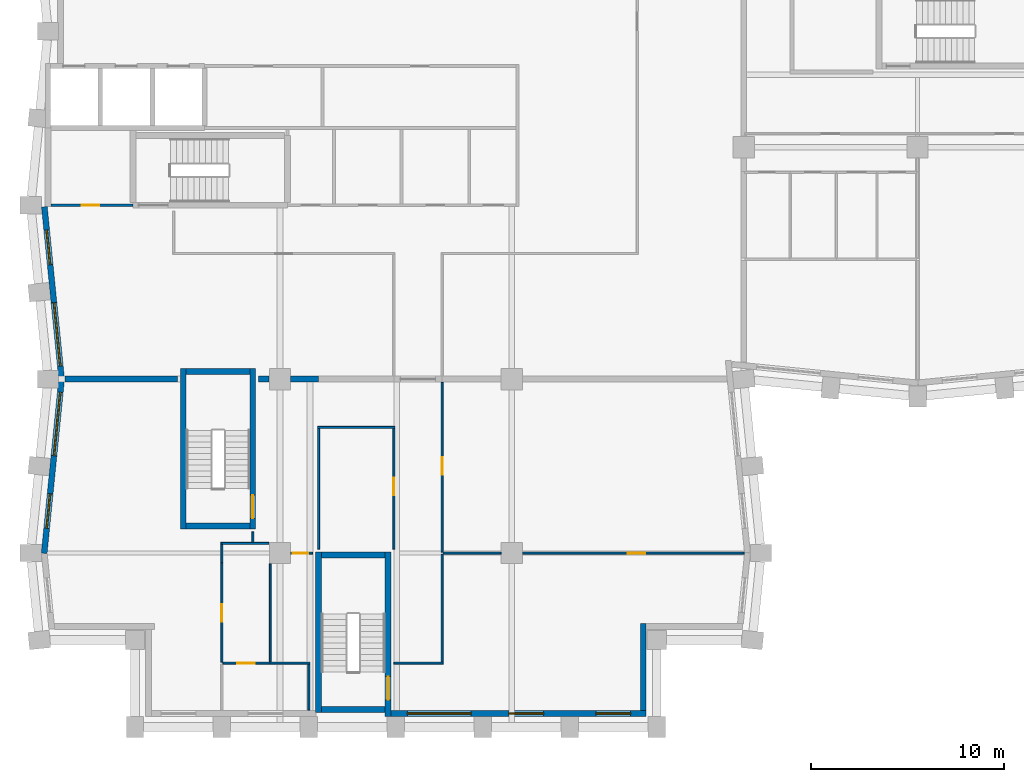
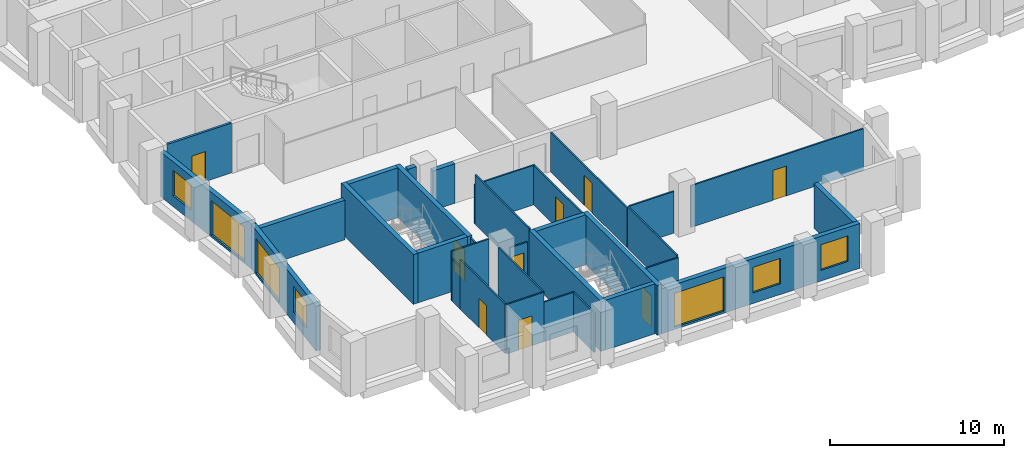
# One storey, part 3 of 10: 33 walls, 9 doors, 7 windows, 16 openings.
"""IFC4 building model written with IfcOpenShell, lengths in metres."""

from ifc_helpers import new_model, si_unit, direction, frame, frame_2d, origin, place, context, subcontext, project, spatial, rectangle, extrude, material, layer, layer_set, type_object, element, fill, save


model = new_model("IFC4")

# Units and contexts
model_context = context("Model", 3, precision=1e-05, world=origin(), true_north=direction((0.0, 1.0)))
body_context = subcontext(model_context, "Body", "Model", "MODEL_VIEW")
ifc_project = project(units=[si_unit("LENGTHUNIT", "METRE"), si_unit("AREAUNIT", "SQUARE_METRE"), si_unit("VOLUMEUNIT", "CUBIC_METRE"), si_unit("PLANEANGLEUNIT", "RADIAN"), si_unit("MASSUNIT", "GRAM", prefix="KILO")], contexts=[model_context])

# Site, building, storey
site_placement = place(None, origin())
site = spatial("IfcSite", under=ifc_project, at=site_placement, CompositionType="ELEMENT")
building_placement = place(site_placement, origin())
building = spatial("IfcBuilding", under=site, at=building_placement, Name="Brondeck Convention Tower", CompositionType="ELEMENT")
storey_placement = place(building_placement, frame((0.0, 0.0, 151.0)))
storey = spatial("IfcBuildingStorey", under=building, at=storey_placement, Name="L36", CompositionType="ELEMENT", Elevation=151.0)

# Walls
ifc_material_1 = material(Name="Concrete compartment wall C30/37", Category="concrete")
ifc_layer_1 = layer(ifc_material_1, 0.300048828125)
ifc_layer_set_1 = layer_set([ifc_layer_1], Name="Compartment wall 300")
wall_type_1 = type_object("IfcWallType", Name="Compartment wall 300", PredefinedType="PARTITIONING", material=ifc_layer_set_1)
wall_1_placement = place(storey_placement, frame((0.8740234375, 27.0, 0.0), z_axis=(0.0, 0.0, 1.0), x_axis=(1.0, 0.0, 0.0)))
element("IfcWall", 1, at=wall_1_placement, inside=storey, type_object=wall_type_1, Name="FLR-L36-W020", PredefinedType="PARTITIONING", context=body_context, shape_type="SweptSolid", body=[
    extrude(rectangle(XDim=5.825927734375, YDim=0.300048828125, at=frame_2d((2.9130859375, 0.0))), origin(), (0.0, 0.0, 1.0), 2.780029296875),
])
wall_2_placement = place(storey_placement, frame((10.89990234375, 27.0, 0.0), z_axis=(0.0, 0.0, 1.0), x_axis=(1.0, 0.0, 0.0)))
element("IfcWall", 2, at=wall_2_placement, inside=storey, type_object=wall_type_1, Name="FLR-L36-W021", PredefinedType="PARTITIONING", context=body_context, shape_type="SweptSolid", body=[
    extrude(rectangle(XDim=0.545166015625, YDim=0.300048828125, at=frame_2d((0.2724609375, 0.0))), origin(), (0.0, 0.0, 1.0), 3.47998046875),
])
wall_3_placement = place(storey_placement, frame((12.554931640625, 27.0, 0.0), z_axis=(0.0, 0.0, 1.0), x_axis=(1.0, 0.0, 0.0)))
element("IfcWall", 3, at=wall_3_placement, inside=storey, type_object=wall_type_1, Name="FLR-L36-W022", PredefinedType="PARTITIONING", context=body_context, shape_type="SweptSolid", body=[
    extrude(rectangle(XDim=1.445068359375, YDim=0.300048828125, at=frame_2d((0.72265625, 0.0))), origin(), (0.0, 0.0, 1.0), 2.780029296875),
])

# Wall, opening, door
ifc_material_2 = material(Name="Fire-rated gypsum board partition")
ifc_layer_2 = layer(ifc_material_2, 0.14990234375)
ifc_layer_set_2 = layer_set([ifc_layer_2], Name="Core partition 150 EI 60")
wall_type_2 = type_object("IfcWallType", Name="Core partition 150 EI 60", PredefinedType="PARTITIONING", material=ifc_layer_set_2)
wall_4_placement = place(storey_placement, frame((0.14990234375, 36.0, 0.0), z_axis=(0.0, 0.0, 1.0), x_axis=(1.0, 0.0, 0.0)))
wall_4 = element("IfcWall", 4, at=wall_4_placement, inside=storey, type_object=wall_type_2, Name="L36 core wall", PredefinedType="PARTITIONING", context=body_context, shape_type="SweptSolid", body=[
    extrude(rectangle(XDim=4.25, YDim=0.14990234375, at=frame_2d((2.125, 0.0))), origin(), (0.0, 0.0, 1.0), 3.5),
])
opening_1_placement = place(wall_4_placement, frame((1.60009765625, 0.0, 0.0)))
opening_1 = element("IfcOpeningElement", 5, at=opening_1_placement, cuts=wall_4, Name="Opening C21-07", PredefinedType="OPENING", context=body_context, shape_type="SweptSolid", body=[
    extrude(rectangle(XDim=0.89990234375, YDim=2.10009765625, at=frame_2d((0.449951171875, 1.050048828125))), frame((0.0, 0.0849609375, 0.0), z_axis=(0.0, -1.0, 0.0), x_axis=(1.0, 0.0, 0.0)), (0.0, 0.0, 1.0), 0.169921875),
])
ifc_material_3 = material(Name="Steel fire door", Category="steel")
door_type_1 = type_object("IfcDoorType", Name="Room door 900x2100 EI 60", OperationType="NOTDEFINED", PredefinedType="DOOR", material=ifc_material_3)
door_1_placement = place(opening_1_placement, origin())
door_1 = element("IfcDoor", 6, at=door_1_placement, inside=storey, type_object=door_type_1, Name="L36 Room door FRW-1", OperationType="SINGLE_SWING_LEFT", OverallHeight=2.10009765625, OverallWidth=0.89990234375, PredefinedType="DOOR", context=body_context, shape_type="SweptSolid", body=[
    extrude(rectangle(XDim=0.89990234375, YDim=2.10009765625, at=frame_2d((0.449951171875, 1.050048828125))), frame((0.0, 0.02490234375, 0.0), z_axis=(0.0, -1.0, 0.0), x_axis=(1.0, 0.0, 0.0)), (0.0, 0.0, 1.0), 0.050048828125),
])
fill(opening_1, door_1)

# Wall, openings, windows
ifc_material_4 = material(Name="Precast concrete C50/60 bronze finish", Category="concrete")
ifc_layer_3 = layer(ifc_material_4, 0.070068359375, Name="Bronze precast facing")
ifc_material_5 = material(Name="Mineral wool")
ifc_layer_4 = layer(ifc_material_5, 0.159912109375, Name="Insulation")
ifc_material_6 = material(Name="Concrete C35/45", Category="concrete")
ifc_layer_5 = layer(ifc_material_6, 0.070068359375, Name="Backing")
ifc_layer_set_3 = layer_set([ifc_layer_3, ifc_layer_4, ifc_layer_5], Name="External infill wall, precast concrete C50/60 bronze facing")
wall_type_3 = type_object("IfcWallType", Name="External infill wall, precast concrete C50/60 bronze facing", PredefinedType="SOLIDWALL", material=ifc_layer_set_3)
wall_5_placement = place(storey_placement, frame((30.949951171875, 9.699951171875, 0.0), z_axis=(0.0, 0.0, 1.0), x_axis=(-1.0, 0.0, 0.0)))
wall_5 = element("IfcWall", 7, at=wall_5_placement, inside=storey, type_object=wall_type_3, Name="ENV-EW-L36-P1-B-S9-04", PredefinedType="SOLIDWALL", context=body_context, shape_type="SweptSolid", body=[
    extrude(rectangle(XDim=13.199951171875, YDim=0.300048828125, at=frame_2d((6.60009765625, 0.0))), origin(), (0.0, 0.0, 1.0), 3.14990234375),
])
opening_2_placement = place(wall_5_placement, frame((0.800048828125, 0.0, 0.75)))
opening_2 = element("IfcOpeningElement", 8, at=opening_2_placement, cuts=wall_5, Name="Opening W10", PredefinedType="OPENING", context=body_context, shape_type="SweptSolid", body=[
    extrude(rectangle(XDim=1.800048828125, YDim=1.800048828125, at=frame_2d((0.89990234375, 0.89990234375))), frame((0.0, 0.159912109375, 0.0), z_axis=(0.0, -1.0, 0.0), x_axis=(1.0, 0.0, 0.0)), (0.0, 0.0, 1.0), 0.320068359375),
])
opening_3_placement = place(wall_5_placement, frame((5.300048828125, 0.0, 0.75)))
opening_3 = element("IfcOpeningElement", 9, at=opening_3_placement, cuts=wall_5, Name="Opening W10", PredefinedType="OPENING", context=body_context, shape_type="SweptSolid", body=[
    extrude(rectangle(XDim=1.800048828125, YDim=1.800048828125, at=frame_2d((0.89990234375, 0.89990234375))), frame((0.0, 0.159912109375, 0.0), z_axis=(0.0, -1.0, 0.0), x_axis=(1.0, 0.0, 0.0)), (0.0, 0.0, 1.0), 0.320068359375),
])
opening_4_placement = place(wall_5_placement, frame((9.050048828125, 0.0, 0.14990234375)))
opening_4 = element("IfcOpeningElement", 10, at=opening_4_placement, cuts=wall_5, Name="Opening W9", PredefinedType="OPENING", context=body_context, shape_type="SweptSolid", body=[
    extrude(rectangle(XDim=3.300048828125, YDim=2.39990234375, at=frame_2d((1.64990234375, 1.199951171875))), frame((0.0, 0.159912109375, 0.0), z_axis=(0.0, -1.0, 0.0), x_axis=(1.0, 0.0, 0.0)), (0.0, 0.0, 1.0), 0.320068359375),
])
ifc_material_7 = material(Name="Bronze tinted double glazing", Category="glass")
window_type_1 = type_object("IfcWindowType", Name="Glazed flute window, bronze tinted", PartitioningType="SINGLE_PANEL", PredefinedType="WINDOW", material=ifc_material_7)
window_1_placement = place(opening_4_placement, origin())
window_1 = element("IfcWindow", 11, at=window_1_placement, inside=storey, type_object=window_type_1, Name="ENV-WN-L36-P1-B-S9-04", OverallHeight=2.39990234375, OverallWidth=3.300048828125, PartitioningType="SINGLE_PANEL", PredefinedType="WINDOW", context=body_context, shape_type="SweptSolid", body=[
    extrude(rectangle(XDim=3.300048828125, YDim=2.39990234375, at=frame_2d((1.64990234375, 1.199951171875))), frame((0.0, 0.030029296875, 0.0), z_axis=(0.0, -1.0, 0.0), x_axis=(1.0, 0.0, 0.0)), (0.0, 0.0, 1.0), 0.06005859375),
])
fill(opening_4, window_1)
window_type_2 = type_object("IfcWindowType", Name="Punched window, bronze tinted", PartitioningType="SINGLE_PANEL", PredefinedType="WINDOW", material=ifc_material_7)
window_2_placement = place(opening_2_placement, origin())
window_2 = element("IfcWindow", 12, at=window_2_placement, inside=storey, type_object=window_type_2, Name="ENV-WN-L36-P1-B-S9-06", OverallHeight=1.800048828125, OverallWidth=1.800048828125, PartitioningType="SINGLE_PANEL", PredefinedType="WINDOW", context=body_context, shape_type="SweptSolid", body=[
    extrude(rectangle(XDim=1.800048828125, YDim=1.800048828125, at=frame_2d((0.89990234375, 0.89990234375))), frame((0.0, 0.030029296875, 0.0), z_axis=(0.0, -1.0, 0.0), x_axis=(1.0, 0.0, 0.0)), (0.0, 0.0, 1.0), 0.06005859375),
])
fill(opening_2, window_2)
window_3_placement = place(opening_3_placement, origin())
window_3 = element("IfcWindow", 13, at=window_3_placement, inside=storey, type_object=window_type_2, Name="ENV-WN-L36-P1-B-S9-05", OverallHeight=1.800048828125, OverallWidth=1.800048828125, PartitioningType="SINGLE_PANEL", PredefinedType="WINDOW", context=body_context, shape_type="SweptSolid", body=[
    extrude(rectangle(XDim=1.800048828125, YDim=1.800048828125, at=frame_2d((0.89990234375, 0.89990234375))), frame((0.0, 0.030029296875, 0.0), z_axis=(0.0, -1.0, 0.0), x_axis=(1.0, 0.0, 0.0)), (0.0, 0.0, 1.0), 0.06005859375),
])
fill(opening_3, window_3)

# Wall
wall_6_placement = place(storey_placement, frame((30.800048828125, 14.35009765625, 0.0), z_axis=(0.0, 0.0, 1.0), x_axis=(0.0, -1.0, 0.0)))
element("IfcWall", 14, at=wall_6_placement, inside=storey, type_object=wall_type_3, Name="ENV-EW-L36-P1-NC-SEB9-01", PredefinedType="SOLIDWALL", context=body_context, shape_type="SweptSolid", body=[
    extrude(rectangle(XDim=4.502197265625, YDim=0.300048828125, at=frame_2d((2.2509765625, 0.0))), origin(), (0.0, 0.0, 1.0), 3.14990234375),
])

# Wall, openings, windows
wall_7_placement = place(storey_placement, frame((0.705078125, 26.985107421875, 0.0), z_axis=(0.0, 0.0, 1.0), x_axis=(-0.099533329093, 0.995034228758, 0.0)))
wall_7 = element("IfcWall", 15, at=wall_7_placement, inside=storey, type_object=wall_type_3, Name="ENV-EW-L36-P1-B-W-06", PredefinedType="SOLIDWALL", context=body_context, shape_type="SweptSolid", body=[
    extrude(rectangle(XDim=8.97998046875, YDim=0.300048828125, at=frame_2d((4.489990234375, 0.0))), origin(), (0.0, 0.0, 1.0), 3.14990234375),
])
opening_5_placement = place(wall_7_placement, frame((0.6962890625, 0.0, 0.14990234375)))
opening_5 = element("IfcOpeningElement", 16, at=opening_5_placement, cuts=wall_7, Name="Opening W9", PredefinedType="OPENING", context=body_context, shape_type="SweptSolid", body=[
    extrude(rectangle(XDim=3.300048828125, YDim=2.39990234375, at=frame_2d((1.64990234375, 1.199951171875))), frame((0.0, 0.159912109375, 0.0), z_axis=(0.0, -1.0, 0.0), x_axis=(1.0, 0.0, 0.0)), (0.0, 0.0, 1.0), 0.320068359375),
])
opening_6_placement = place(wall_7_placement, frame((5.968505859375, 0.0, 0.75)))
opening_6 = element("IfcOpeningElement", 17, at=opening_6_placement, cuts=wall_7, Name="Opening W10", PredefinedType="OPENING", context=body_context, shape_type="SweptSolid", body=[
    extrude(rectangle(XDim=1.800048828125, YDim=1.800048828125, at=frame_2d((0.89990234375, 0.89990234375))), frame((0.0, 0.159912109375, 0.0), z_axis=(0.0, -1.0, 0.0), x_axis=(1.0, 0.0, 0.0)), (0.0, 0.0, 1.0), 0.320068359375),
])
window_4_placement = place(opening_5_placement, origin())
window_4 = element("IfcWindow", 18, at=window_4_placement, inside=storey, type_object=window_type_1, Name="ENV-WN-L36-P1-B-W-07", OverallHeight=2.39990234375, OverallWidth=3.300048828125, PartitioningType="SINGLE_PANEL", PredefinedType="WINDOW", context=body_context, shape_type="SweptSolid", body=[
    extrude(rectangle(XDim=3.300048828125, YDim=2.39990234375, at=frame_2d((1.64990234375, 1.199951171875))), frame((0.0, 0.030029296875, 0.0), z_axis=(0.0, -1.0, 0.0), x_axis=(1.0, 0.0, 0.0)), (0.0, 0.0, 1.0), 0.06005859375),
])
fill(opening_5, window_4)
window_5_placement = place(opening_6_placement, origin())
window_5 = element("IfcWindow", 19, at=window_5_placement, inside=storey, type_object=window_type_2, Name="ENV-WN-L36-P1-B-W-06", OverallHeight=1.800048828125, OverallWidth=1.800048828125, PartitioningType="SINGLE_PANEL", PredefinedType="WINDOW", context=body_context, shape_type="SweptSolid", body=[
    extrude(rectangle(XDim=1.800048828125, YDim=1.800048828125, at=frame_2d((0.89990234375, 0.89990234375))), frame((0.0, 0.030029296875, 0.0), z_axis=(0.0, -1.0, 0.0), x_axis=(1.0, 0.0, 0.0)), (0.0, 0.0, 1.0), 0.06005859375),
])
fill(opening_6, window_5)

wall_8_placement = place(storey_placement, frame((-0.197998046875, 17.985107421875, 0.0), z_axis=(0.0, 0.0, 1.0), x_axis=(0.099495688264, 0.995037993253, 0.0)))
wall_8 = element("IfcWall", 20, at=wall_8_placement, inside=storey, type_object=wall_type_3, Name="ENV-EW-L36-P1-B-W-08", PredefinedType="SOLIDWALL", context=body_context, shape_type="SweptSolid", body=[
    extrude(rectangle(XDim=9.030029296875, YDim=0.300048828125, at=frame_2d((4.51513671875, 0.0))), origin(), (0.0, 0.0, 1.0), 3.14990234375),
])
opening_7_placement = place(wall_8_placement, frame((1.30615234375, 0.0, 0.75)))
opening_7 = element("IfcOpeningElement", 21, at=opening_7_placement, cuts=wall_8, Name="Opening W10", PredefinedType="OPENING", context=body_context, shape_type="SweptSolid", body=[
    extrude(rectangle(XDim=1.800048828125, YDim=1.800048828125, at=frame_2d((0.89990234375, 0.89990234375))), frame((0.0, 0.159912109375, 0.0), z_axis=(0.0, -1.0, 0.0), x_axis=(1.0, 0.0, 0.0)), (0.0, 0.0, 1.0), 0.320068359375),
])
opening_8_placement = place(wall_8_placement, frame((5.07861328125, 0.0, 0.14990234375)))
opening_8 = element("IfcOpeningElement", 22, at=opening_8_placement, cuts=wall_8, Name="Opening W9", PredefinedType="OPENING", context=body_context, shape_type="SweptSolid", body=[
    extrude(rectangle(XDim=3.300048828125, YDim=2.39990234375, at=frame_2d((1.64990234375, 1.199951171875))), frame((0.0, 0.159912109375, 0.0), z_axis=(0.0, -1.0, 0.0), x_axis=(1.0, 0.0, 0.0)), (0.0, 0.0, 1.0), 0.320068359375),
])
window_6_placement = place(opening_8_placement, origin())
window_6 = element("IfcWindow", 23, at=window_6_placement, inside=storey, type_object=window_type_1, Name="ENV-WN-L36-P1-B-W-08", OverallHeight=2.39990234375, OverallWidth=3.300048828125, PartitioningType="SINGLE_PANEL", PredefinedType="WINDOW", context=body_context, shape_type="SweptSolid", body=[
    extrude(rectangle(XDim=3.300048828125, YDim=2.39990234375, at=frame_2d((1.64990234375, 1.199951171875))), frame((0.0, 0.030029296875, 0.0), z_axis=(0.0, -1.0, 0.0), x_axis=(1.0, 0.0, 0.0)), (0.0, 0.0, 1.0), 0.06005859375),
])
fill(opening_8, window_6)
window_7_placement = place(opening_7_placement, origin())
window_7 = element("IfcWindow", 24, at=window_7_placement, inside=storey, type_object=window_type_2, Name="ENV-WN-L36-P1-B-W-09", OverallHeight=1.800048828125, OverallWidth=1.800048828125, PartitioningType="SINGLE_PANEL", PredefinedType="WINDOW", context=body_context, shape_type="SweptSolid", body=[
    extrude(rectangle(XDim=1.800048828125, YDim=1.800048828125, at=frame_2d((0.89990234375, 0.89990234375))), frame((0.0, 0.030029296875, 0.0), z_axis=(0.0, -1.0, 0.0), x_axis=(1.0, 0.0, 0.0)), (0.0, 0.0, 1.0), 0.06005859375),
])
fill(opening_7, window_7)

# Wall
ifc_material_8 = material(Name="Gypsum board partition on steel studs", Category="steel")
ifc_layer_6 = layer(ifc_material_8, 0.10009765625)
ifc_layer_set_4 = layer_set([ifc_layer_6], Name="Room partition 100")
wall_type_4 = type_object("IfcWallType", Name="Room partition 100", PredefinedType="PARTITIONING", material=ifc_layer_set_4)
wall_9_placement = place(storey_placement, frame((13.5, 12.25, 0.0), z_axis=(0.0, 0.0, 1.0), x_axis=(0.0, -1.0, 0.0)))
element("IfcWall", 25, at=wall_9_placement, inside=storey, type_object=wall_type_4, Name="FLR-L36-W003", PredefinedType="PARTITIONING", context=body_context, shape_type="SweptSolid", body=[
    extrude(rectangle(XDim=2.3798828125, YDim=0.10009765625, at=frame_2d((1.18994140625, 0.0))), origin(), (0.0, 0.0, 1.0), 2.780029296875),
])

# Wall, opening, door
wall_10_placement = place(storey_placement, frame((11.5, 12.300048828125, 0.0), z_axis=(0.0, 0.0, 1.0), x_axis=(-1.0, 0.0, 0.0)))
wall_10 = element("IfcWall", 26, at=wall_10_placement, inside=storey, type_object=wall_type_4, Name="FLR-L36-W004", PredefinedType="PARTITIONING", context=body_context, shape_type="SweptSolid", body=[
    extrude(rectangle(XDim=2.449951171875, YDim=0.10009765625, at=frame_2d((1.22509765625, 0.0))), origin(), (0.0, 0.0, 1.0), 3.47998046875),
])
opening_9_placement = place(wall_10_placement, frame((0.800048828125, 0.0, 0.0)))
opening_9 = element("IfcOpeningElement", 27, at=opening_9_placement, cuts=wall_10, Name="Opening OF-F2-001", PredefinedType="OPENING", context=body_context, shape_type="SweptSolid", body=[
    extrude(rectangle(XDim=0.89990234375, YDim=2.10009765625, at=frame_2d((0.449951171875, 1.050048828125))), frame((0.0, 0.06005859375, 0.0), z_axis=(0.0, -1.0, 0.0), x_axis=(1.0, 0.0, 0.0)), (0.0, 0.0, 1.0), 0.1201171875),
])
ifc_material_9 = material(Name="Solid timber door leaf", Category="wood")
door_type_2 = type_object("IfcDoorType", Name="Single door 900", OperationType="NOTDEFINED", PredefinedType="DOOR", material=ifc_material_9)
door_2_placement = place(opening_9_placement, origin())
door_2 = element("IfcDoor", 28, at=door_2_placement, inside=storey, type_object=door_type_2, Name="Door OF-F2-001", OperationType="SINGLE_SWING_RIGHT", OverallHeight=2.10009765625, OverallWidth=0.89990234375, PredefinedType="DOOR", context=body_context, shape_type="SweptSolid", body=[
    extrude(rectangle(XDim=0.89990234375, YDim=2.10009765625, at=frame_2d((0.449951171875, 1.050048828125))), frame((0.0, 0.02490234375, 0.0), z_axis=(0.0, -1.0, 0.0), x_axis=(1.0, 0.0, 0.0)), (0.0, 0.0, 1.0), 0.050048828125),
])
fill(opening_9, door_2)

# Walls
wall_11_placement = place(storey_placement, frame((11.5, 12.300048828125, 0.0), z_axis=(0.0, 0.0, 1.0), x_axis=(1.0, 0.0, 0.0)))
element("IfcWall", 29, at=wall_11_placement, inside=storey, type_object=wall_type_4, Name="FLR-L36-W005", PredefinedType="PARTITIONING", context=body_context, shape_type="SweptSolid", body=[
    extrude(rectangle(XDim=2.050048828125, YDim=0.10009765625, at=frame_2d((1.02490234375, 0.0))), origin(), (0.0, 0.0, 1.0), 2.780029296875),
])
wall_12_placement = place(storey_placement, frame((20.449951171875, 12.300048828125, 0.0), z_axis=(0.0, 0.0, 1.0), x_axis=(-1.0, 0.0, 0.0)))
element("IfcWall", 30, at=wall_12_placement, inside=storey, type_object=wall_type_4, Name="FLR-L36-W006", PredefinedType="PARTITIONING", context=body_context, shape_type="SweptSolid", body=[
    extrude(rectangle(XDim=2.550048828125, YDim=0.10009765625, at=frame_2d((1.27490234375, 0.0))), origin(), (0.0, 0.0, 1.0), 2.780029296875),
])

# Wall, opening, door
wall_13_placement = place(storey_placement, frame((9.0, 12.35009765625, 0.0), z_axis=(0.0, 0.0, 1.0), x_axis=(0.0, 1.0, 0.0)))
wall_13 = element("IfcWall", 31, at=wall_13_placement, inside=storey, type_object=wall_type_4, Name="FLR-L36-W007", PredefinedType="PARTITIONING", context=body_context, shape_type="SweptSolid", body=[
    extrude(rectangle(XDim=5.14990234375, YDim=0.10009765625, at=frame_2d((2.574951171875, 0.0))), origin(), (0.0, 0.0, 1.0), 3.47998046875),
])
opening_10_placement = place(wall_13_placement, frame((2.10009765625, 0.0, 0.0)))
opening_10 = element("IfcOpeningElement", 32, at=opening_10_placement, cuts=wall_13, Name="Opening OF-F2-015", PredefinedType="OPENING", context=body_context, shape_type="SweptSolid", body=[
    extrude(rectangle(XDim=0.89990234375, YDim=2.10009765625, at=frame_2d((0.449951171875, 1.050048828125))), frame((0.0, 0.06005859375, 0.0), z_axis=(0.0, -1.0, 0.0), x_axis=(1.0, 0.0, 0.0)), (0.0, 0.0, 1.0), 0.1201171875),
])
door_3_placement = place(opening_10_placement, origin())
door_3 = element("IfcDoor", 33, at=door_3_placement, inside=storey, type_object=door_type_2, Name="Door OF-F2-015", OperationType="SINGLE_SWING_RIGHT", OverallHeight=2.10009765625, OverallWidth=0.89990234375, PredefinedType="DOOR", context=body_context, shape_type="SweptSolid", body=[
    extrude(rectangle(XDim=0.89990234375, YDim=2.10009765625, at=frame_2d((0.449951171875, 1.050048828125))), frame((0.0, 0.02490234375, 0.0), z_axis=(0.0, -1.0, 0.0), x_axis=(1.0, 0.0, 0.0)), (0.0, 0.0, 1.0), 0.050048828125),
])
fill(opening_10, door_3)

# Walls
wall_14_placement = place(storey_placement, frame((11.5, 17.445068359375, 0.0), z_axis=(0.0, 0.0, 1.0), x_axis=(0.0, -1.0, 0.0)))
element("IfcWall", 34, at=wall_14_placement, inside=storey, type_object=wall_type_4, Name="FLR-L36-W008", PredefinedType="PARTITIONING", context=body_context, shape_type="SweptSolid", body=[
    extrude(rectangle(XDim=5.094970703125, YDim=0.10009765625, at=frame_2d((2.54736328125, 0.0))), origin(), (0.0, 0.0, 1.0), 3.47998046875),
])
wall_15_placement = place(storey_placement, frame((9.0, 17.5, 0.0), z_axis=(0.0, 0.0, 1.0), x_axis=(0.0, 1.0, 0.0)))
element("IfcWall", 35, at=wall_15_placement, inside=storey, type_object=wall_type_4, Name="FLR-L36-W009", PredefinedType="PARTITIONING", context=body_context, shape_type="SweptSolid", body=[
    extrude(rectangle(XDim=0.949951171875, YDim=0.10009765625, at=frame_2d((0.47509765625, 0.0))), origin(), (0.0, 0.0, 1.0), 2.929931640625),
])
wall_16_placement = place(storey_placement, frame((20.39990234375, 17.949951171875, 0.0), z_axis=(0.0, 0.0, 1.0), x_axis=(0.0, -1.0, 0.0)))
element("IfcWall", 36, at=wall_16_placement, inside=storey, type_object=wall_type_4, Name="FLR-L36-W010", PredefinedType="PARTITIONING", context=body_context, shape_type="SweptSolid", body=[
    extrude(rectangle(XDim=5.599853515625, YDim=0.10009765625, at=frame_2d((2.7998046875, 0.0))), origin(), (0.0, 0.0, 1.0), 2.929931640625),
])

# Wall, opening, door
wall_17_placement = place(storey_placement, frame((13.699951171875, 18.0, 0.0), z_axis=(0.0, 0.0, 1.0), x_axis=(-1.0, 0.0, 0.0)))
wall_17 = element("IfcWall", 37, at=wall_17_placement, inside=storey, type_object=wall_type_4, Name="FLR-L36-W011", PredefinedType="PARTITIONING", context=body_context, shape_type="SweptSolid", body=[
    extrude(rectangle(XDim=1.14501953125, YDim=0.10009765625, at=frame_2d((0.572509765625, 0.0))), origin(), (0.0, 0.0, 1.0), 2.780029296875),
])
opening_11_placement = place(wall_17_placement, frame((0.2451171875, 0.0, 0.0)))
opening_11 = element("IfcOpeningElement", 38, at=opening_11_placement, cuts=wall_17, Name="Opening OF-F2-004", PredefinedType="OPENING", context=body_context, shape_type="SweptSolid", body=[
    extrude(rectangle(XDim=0.800048828125, YDim=2.10009765625, at=frame_2d((0.39990234375, 1.050048828125))), frame((0.0, 0.06005859375, 0.0), z_axis=(0.0, -1.0, 0.0), x_axis=(1.0, 0.0, 0.0)), (0.0, 0.0, 1.0), 0.1201171875),
])
ifc_material_10 = material(Name="Steel service door leaf", Category="steel")
door_type_3 = type_object("IfcDoorType", Name="Service door 800", OperationType="NOTDEFINED", PredefinedType="DOOR", material=ifc_material_10)
door_4_placement = place(opening_11_placement, origin())
door_4 = element("IfcDoor", 39, at=door_4_placement, inside=storey, type_object=door_type_3, Name="Door OF-F2-004", OperationType="SINGLE_SWING_LEFT", OverallHeight=2.10009765625, OverallWidth=0.800048828125, PredefinedType="DOOR", context=body_context, shape_type="SweptSolid", body=[
    extrude(rectangle(XDim=0.800048828125, YDim=2.10009765625, at=frame_2d((0.39990234375, 1.050048828125))), frame((0.0, 0.02490234375, 0.0), z_axis=(0.0, -1.0, 0.0), x_axis=(1.0, 0.0, 0.0)), (0.0, 0.0, 1.0), 0.050048828125),
])
fill(opening_11, door_4)

# Wall
wall_18_placement = place(storey_placement, frame((23.445068359375, 18.0, 0.0), z_axis=(0.0, 0.0, 1.0), x_axis=(-1.0, 0.0, 0.0)))
element("IfcWall", 40, at=wall_18_placement, inside=storey, type_object=wall_type_4, Name="FLR-L36-W012", PredefinedType="PARTITIONING", context=body_context, shape_type="SweptSolid", body=[
    extrude(rectangle(XDim=2.9951171875, YDim=0.10009765625, at=frame_2d((1.49755859375, 0.0))), origin(), (0.0, 0.0, 1.0), 2.929931640625),
])

# Wall, opening, door
wall_19_placement = place(storey_placement, frame((36.02587890625, 18.0, 0.0), z_axis=(0.0, 0.0, 1.0), x_axis=(-1.0, 0.0, 0.0)))
wall_19 = element("IfcWall", 41, at=wall_19_placement, inside=storey, type_object=wall_type_4, Name="FLR-L36-W013", PredefinedType="PARTITIONING", context=body_context, shape_type="SweptSolid", body=[
    extrude(rectangle(XDim=11.470947265625, YDim=0.10009765625, at=frame_2d((5.7353515625, 0.0))), origin(), (0.0, 0.0, 1.0), 2.929931640625),
])
opening_12_placement = place(wall_19_placement, frame((5.125732421875, 0.0, 0.0)))
opening_12 = element("IfcOpeningElement", 42, at=opening_12_placement, cuts=wall_19, Name="Opening OF-F2-014", PredefinedType="OPENING", context=body_context, shape_type="SweptSolid", body=[
    extrude(rectangle(XDim=0.89990234375, YDim=2.10009765625, at=frame_2d((0.449951171875, 1.050048828125))), frame((0.0, 0.06005859375, 0.0), z_axis=(0.0, -1.0, 0.0), x_axis=(1.0, 0.0, 0.0)), (0.0, 0.0, 1.0), 0.1201171875),
])
door_5_placement = place(opening_12_placement, origin())
door_5 = element("IfcDoor", 43, at=door_5_placement, inside=storey, type_object=door_type_2, Name="Door OF-F2-014", OperationType="SINGLE_SWING_LEFT", OverallHeight=2.10009765625, OverallWidth=0.89990234375, PredefinedType="DOOR", context=body_context, shape_type="SweptSolid", body=[
    extrude(rectangle(XDim=0.89990234375, YDim=2.10009765625, at=frame_2d((0.449951171875, 1.050048828125))), frame((0.0, 0.02490234375, 0.0), z_axis=(0.0, -1.0, 0.0), x_axis=(1.0, 0.0, 0.0)), (0.0, 0.0, 1.0), 0.050048828125),
])
fill(opening_12, door_5)

wall_20_placement = place(storey_placement, frame((17.89990234375, 18.199951171875, 0.0), z_axis=(0.0, 0.0, 1.0), x_axis=(0.0, 1.0, 0.0)))
wall_20 = element("IfcWall", 44, at=wall_20_placement, inside=storey, type_object=wall_type_4, Name="FLR-L36-W014", PredefinedType="PARTITIONING", context=body_context, shape_type="SweptSolid", body=[
    extrude(rectangle(XDim=6.25, YDim=0.10009765625, at=frame_2d((3.125, 0.0))), origin(), (0.0, 0.0, 1.0), 2.780029296875),
])
opening_13_placement = place(wall_20_placement, frame((2.800048828125, 0.0, 0.0)))
opening_13 = element("IfcOpeningElement", 45, at=opening_13_placement, cuts=wall_20, Name="Opening OF-F2-003", PredefinedType="OPENING", context=body_context, shape_type="SweptSolid", body=[
    extrude(rectangle(XDim=0.89990234375, YDim=2.10009765625, at=frame_2d((0.449951171875, 1.050048828125))), frame((0.0, 0.06005859375, 0.0), z_axis=(0.0, -1.0, 0.0), x_axis=(1.0, 0.0, 0.0)), (0.0, 0.0, 1.0), 0.1201171875),
])
door_6_placement = place(opening_13_placement, origin())
door_6 = element("IfcDoor", 46, at=door_6_placement, inside=storey, type_object=door_type_2, Name="Door OF-F2-003", OperationType="SINGLE_SWING_LEFT", OverallHeight=2.10009765625, OverallWidth=0.89990234375, PredefinedType="DOOR", context=body_context, shape_type="SweptSolid", body=[
    extrude(rectangle(XDim=0.89990234375, YDim=2.10009765625, at=frame_2d((0.449951171875, 1.050048828125))), frame((0.0, 0.02490234375, 0.0), z_axis=(0.0, -1.0, 0.0), x_axis=(1.0, 0.0, 0.0)), (0.0, 0.0, 1.0), 0.050048828125),
])
fill(opening_13, door_6)

# Walls
wall_21_placement = place(storey_placement, frame((8.949951171875, 18.5, 0.0), z_axis=(0.0, 0.0, 1.0), x_axis=(1.0, 0.0, 0.0)))
element("IfcWall", 47, at=wall_21_placement, inside=storey, type_object=wall_type_4, Name="FLR-L36-W015", PredefinedType="PARTITIONING", context=body_context, shape_type="SweptSolid", body=[
    extrude(rectangle(XDim=2.47998046875, YDim=0.10009765625, at=frame_2d((1.239990234375, 0.0))), origin(), (0.0, 0.0, 1.0), 3.47998046875),
])
wall_22_placement = place(storey_placement, frame((10.60009765625, 18.550048828125, 0.0), z_axis=(0.0, 0.0, 1.0), x_axis=(0.0, 1.0, 0.0)))
element("IfcWall", 48, at=wall_22_placement, inside=storey, type_object=wall_type_4, Name="FLR-L36-W016", PredefinedType="PARTITIONING", context=body_context, shape_type="SweptSolid", body=[
    extrude(rectangle(XDim=0.550048828125, YDim=0.10009765625, at=frame_2d((0.27490234375, 0.0))), origin(), (0.0, 0.0, 1.0), 3.47998046875),
])
wall_23_placement = place(storey_placement, frame((14.0, 24.449951171875, 0.0), z_axis=(0.0, 0.0, 1.0), x_axis=(0.0, -1.0, 0.0)))
element("IfcWall", 49, at=wall_23_placement, inside=storey, type_object=wall_type_4, Name="FLR-L36-W017", PredefinedType="PARTITIONING", context=body_context, shape_type="SweptSolid", body=[
    extrude(rectangle(XDim=6.25, YDim=0.10009765625, at=frame_2d((3.125, 0.0))), origin(), (0.0, 0.0, 1.0), 3.47998046875),
])
wall_24_placement = place(storey_placement, frame((17.949951171875, 24.5, 0.0), z_axis=(0.0, 0.0, 1.0), x_axis=(-1.0, 0.0, 0.0)))
element("IfcWall", 50, at=wall_24_placement, inside=storey, type_object=wall_type_4, Name="FLR-L36-W018", PredefinedType="PARTITIONING", context=body_context, shape_type="SweptSolid", body=[
    extrude(rectangle(XDim=4.0, YDim=0.10009765625, at=frame_2d((2.0, 0.0))), origin(), (0.0, 0.0, 1.0), 2.780029296875),
])

# Wall, opening, door
wall_25_placement = place(storey_placement, frame((20.39990234375, 26.830078125, 0.0), z_axis=(0.0, 0.0, 1.0), x_axis=(0.0, -1.0, 0.0)))
wall_25 = element("IfcWall", 51, at=wall_25_placement, inside=storey, type_object=wall_type_4, Name="FLR-L36-W019", PredefinedType="PARTITIONING", context=body_context, shape_type="SweptSolid", body=[
    extrude(rectangle(XDim=8.780029296875, YDim=0.10009765625, at=frame_2d((4.39013671875, 0.0))), origin(), (0.0, 0.0, 1.0), 2.780029296875),
])
opening_14_placement = place(wall_25_placement, frame((3.8798828125, 0.0, 0.0)))
opening_14 = element("IfcOpeningElement", 52, at=opening_14_placement, cuts=wall_25, Name="Opening OF-F2-013", PredefinedType="OPENING", context=body_context, shape_type="SweptSolid", body=[
    extrude(rectangle(XDim=0.89990234375, YDim=2.10009765625, at=frame_2d((0.449951171875, 1.050048828125))), frame((0.0, 0.06005859375, 0.0), z_axis=(0.0, -1.0, 0.0), x_axis=(1.0, 0.0, 0.0)), (0.0, 0.0, 1.0), 0.1201171875),
])
door_7_placement = place(opening_14_placement, origin())
door_7 = element("IfcDoor", 53, at=door_7_placement, inside=storey, type_object=door_type_2, Name="Door OF-F2-013", OperationType="SINGLE_SWING_LEFT", OverallHeight=2.10009765625, OverallWidth=0.89990234375, PredefinedType="DOOR", context=body_context, shape_type="SweptSolid", body=[
    extrude(rectangle(XDim=0.89990234375, YDim=2.10009765625, at=frame_2d((0.449951171875, 1.050048828125))), frame((0.0, 0.02490234375, 0.0), z_axis=(0.0, -1.0, 0.0), x_axis=(1.0, 0.0, 0.0)), (0.0, 0.0, 1.0), 0.050048828125),
])
fill(opening_14, door_7)

# Walls
ifc_material_11 = material(Name="Concrete C70/85", Category="concrete")
ifc_layer_7 = layer(ifc_material_11, 0.300048828125)
ifc_layer_set_5 = layer_set([ifc_layer_7], Name="Stair enclosure wall 300 Concrete C70/85")
wall_type_5 = type_object("IfcWallType", Name="Stair enclosure wall 300 Concrete C70/85", PredefinedType="SHEAR", material=ifc_layer_set_5)
for number, where, z_axis, x_axis, name in (
    (54, (14.14990234375, 9.89990234375, 0.0), (0.0, 0.0, 1.0), (1.0, 0.0, 0.0), "L36 core wall"),
    (55, (14.14990234375, 17.89990234375, 0.0), (0.0, 0.0, 1.0), (1.0, 0.0, 0.0), "L36 core wall"),
    (56, (7.14990234375, 19.39990234375, 0.0), (0.0, 0.0, 1.0), (1.0, 0.0, 0.0), "L36 core wall"),
    (57, (7.14990234375, 27.39990234375, 0.0), (0.0, 0.0, 1.0), (1.0, 0.0, 0.0), "L36 core wall"),
):
    element("IfcWall", number, at=place(storey_placement, frame(where, z_axis=z_axis, x_axis=x_axis)), inside=storey, type_object=wall_type_5, Name=name, PredefinedType="SHEAR", context=body_context, shape_type="SweptSolid", body=[
        extrude(rectangle(XDim=3.300048828125, YDim=0.300048828125, at=frame_2d((1.64990234375, 0.0))), origin(), (0.0, 0.0, 1.0), 3.5),
    ])
wall_26_placement = place(storey_placement, frame((7.0, 19.25, 0.0), z_axis=(0.0, 0.0, 1.0), x_axis=(0.0, 1.0, 0.0)))
element("IfcWall", 58, at=wall_26_placement, inside=storey, type_object=wall_type_5, Name="L36 core wall", PredefinedType="SHEAR", context=body_context, shape_type="SweptSolid", body=[
    extrude(rectangle(XDim=8.300048828125, YDim=0.300048828125, at=frame_2d((4.14990234375, 0.0))), origin(), (0.0, 0.0, 1.0), 3.5),
])

# Wall, opening, door
wall_27_placement = place(storey_placement, frame((10.60009765625, 19.25, 0.0), z_axis=(0.0, 0.0, 1.0), x_axis=(0.0, 1.0, 0.0)))
wall_27 = element("IfcWall", 59, at=wall_27_placement, inside=storey, type_object=wall_type_5, Name="L36 core wall", PredefinedType="SHEAR", context=body_context, shape_type="SweptSolid", body=[
    extrude(rectangle(XDim=8.300048828125, YDim=0.300048828125, at=frame_2d((4.14990234375, 0.0))), origin(), (0.0, 0.0, 1.0), 3.5),
])
opening_15_placement = place(wall_27_placement, frame((0.550048828125, 0.0, 0.0)))
opening_15 = element("IfcOpeningElement", 60, at=opening_15_placement, cuts=wall_27, Name="Opening C21-19", PredefinedType="OPENING", context=body_context, shape_type="SweptSolid", body=[
    extrude(rectangle(XDim=1.199951171875, YDim=2.199951171875, at=frame_2d((0.60009765625, 1.10009765625))), frame((0.0, 0.159912109375, 0.0), z_axis=(0.0, -1.0, 0.0), x_axis=(1.0, 0.0, 0.0)), (0.0, 0.0, 1.0), 0.320068359375),
])
door_type_4 = type_object("IfcDoorType", Name="Stair door 1200x2200 EI 90", OperationType="NOTDEFINED", PredefinedType="DOOR", material=ifc_material_3)
door_8_placement = place(opening_15_placement, origin())
door_8 = element("IfcDoor", 61, at=door_8_placement, inside=storey, type_object=door_type_4, Name="L36 Stair door ST-BE", OperationType="SINGLE_SWING_RIGHT", OverallHeight=2.199951171875, OverallWidth=1.199951171875, PredefinedType="DOOR", context=body_context, shape_type="SweptSolid", body=[
    extrude(rectangle(XDim=1.199951171875, YDim=2.199951171875, at=frame_2d((0.60009765625, 1.10009765625))), frame((0.0, 0.02490234375, 0.0), z_axis=(0.0, -1.0, 0.0), x_axis=(1.0, 0.0, 0.0)), (0.0, 0.0, 1.0), 0.050048828125),
])
fill(opening_15, door_8)

# Wall
wall_28_placement = place(storey_placement, frame((14.0, 9.75, 0.0), z_axis=(0.0, 0.0, 1.0), x_axis=(0.0, 1.0, 0.0)))
element("IfcWall", 62, at=wall_28_placement, inside=storey, type_object=wall_type_5, Name="L36 core wall", PredefinedType="SHEAR", context=body_context, shape_type="SweptSolid", body=[
    extrude(rectangle(XDim=8.300048828125, YDim=0.300048828125, at=frame_2d((4.14990234375, 0.0))), origin(), (0.0, 0.0, 1.0), 3.5),
])

# Wall, opening, door
wall_29_placement = place(storey_placement, frame((17.60009765625, 9.550048828125, 0.0), z_axis=(0.0, 0.0, 1.0), x_axis=(0.0, 1.0, 0.0)))
wall_29 = element("IfcWall", 63, at=wall_29_placement, inside=storey, type_object=wall_type_5, Name="L36 core wall", PredefinedType="SHEAR", context=body_context, shape_type="SweptSolid", body=[
    extrude(rectangle(XDim=8.5, YDim=0.300048828125, at=frame_2d((4.25, 0.0))), origin(), (0.0, 0.0, 1.0), 3.5),
])
opening_16_placement = place(wall_29_placement, frame((0.85009765625, 0.0, 0.0)))
opening_16 = element("IfcOpeningElement", 64, at=opening_16_placement, cuts=wall_29, Name="Opening C21-20", PredefinedType="OPENING", context=body_context, shape_type="SweptSolid", body=[
    extrude(rectangle(XDim=1.199951171875, YDim=2.199951171875, at=frame_2d((0.60009765625, 1.10009765625))), frame((0.0, 0.159912109375, 0.0), z_axis=(0.0, -1.0, 0.0), x_axis=(1.0, 0.0, 0.0)), (0.0, 0.0, 1.0), 0.320068359375),
])
door_9_placement = place(opening_16_placement, origin())
door_9 = element("IfcDoor", 65, at=door_9_placement, inside=storey, type_object=door_type_4, Name="L36 Stair door ST-BF", OperationType="SINGLE_SWING_LEFT", OverallHeight=2.199951171875, OverallWidth=1.199951171875, PredefinedType="DOOR", context=body_context, shape_type="SweptSolid", body=[
    extrude(rectangle(XDim=1.199951171875, YDim=2.199951171875, at=frame_2d((0.60009765625, 1.10009765625))), frame((0.0, 0.02490234375, 0.0), z_axis=(0.0, -1.0, 0.0), x_axis=(1.0, 0.0, 0.0)), (0.0, 0.0, 1.0), 0.050048828125),
])
fill(opening_16, door_9)

save(model, "model.ifc")
